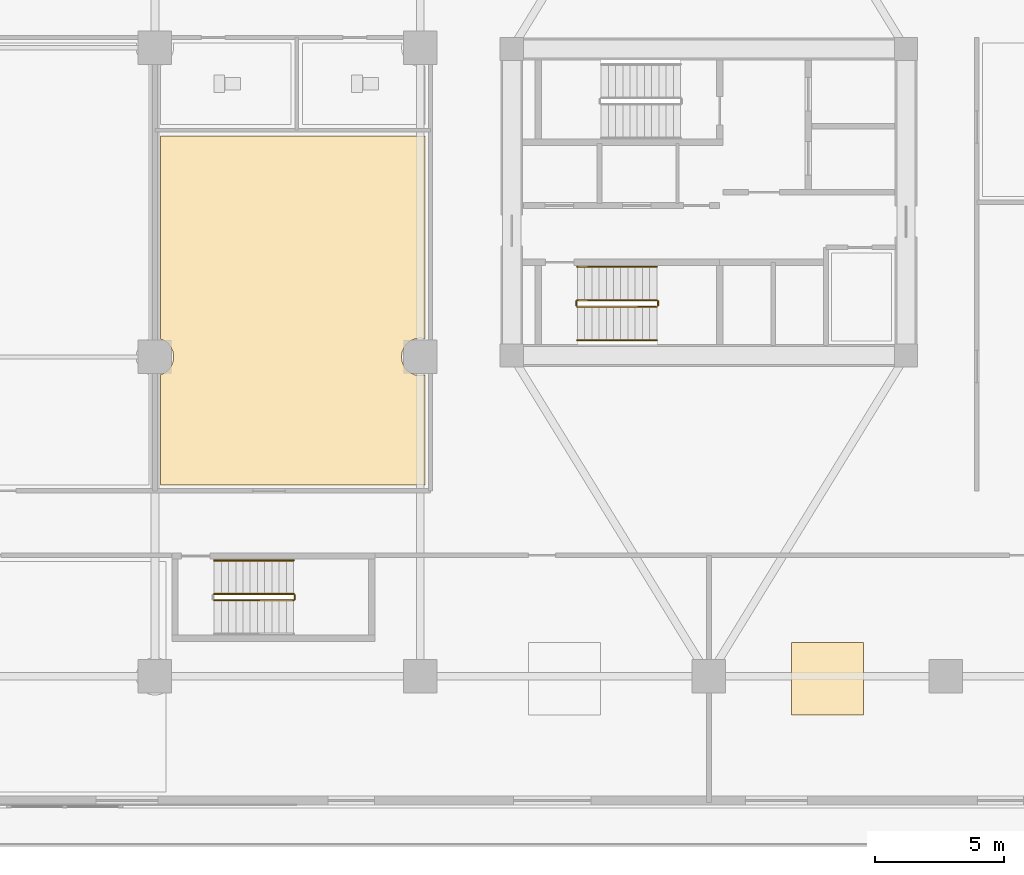
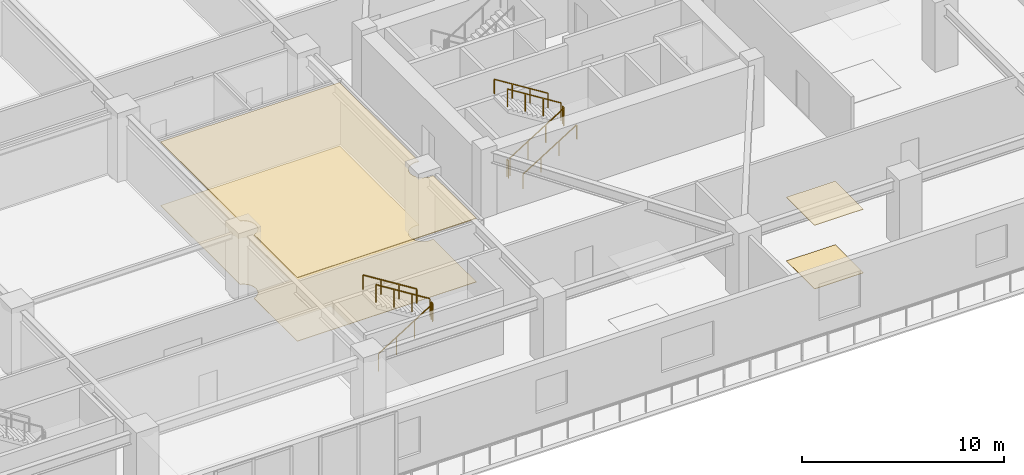
# One storey, part 18 of 22: 10 railings, 4 coverings.
"""IFC4 building model written with IfcOpenShell, lengths in metres."""

from ifc_helpers import new_model, si_unit, direction, frame, origin, origin_2d, place, context, subcontext, project, spatial, polyline, rectangle, outline, extrude, material, layer, layer_set, type_object, element, save


model = new_model("IFC4")

# Units and contexts
model_context = context("Model", 3, precision=1e-05, world=origin(), true_north=direction((0.0, 1.0)))
body_context = subcontext(model_context, "Body", "Model", "MODEL_VIEW")
ifc_project = project(units=[si_unit("LENGTHUNIT", "METRE"), si_unit("AREAUNIT", "SQUARE_METRE"), si_unit("VOLUMEUNIT", "CUBIC_METRE"), si_unit("PLANEANGLEUNIT", "RADIAN"), si_unit("MASSUNIT", "GRAM", prefix="KILO")], contexts=[model_context])

# Site, building, storey
site_placement = place(None, origin())
site = spatial("IfcSite", under=ifc_project, at=site_placement, CompositionType="ELEMENT")
building_placement = place(site_placement, origin())
building = spatial("IfcBuilding", under=site, at=building_placement, Name="Norrkilde Senior Care Towers", CompositionType="ELEMENT")
storey_placement = place(building_placement, frame((0.0, 0.0, 4.199951171875)))
storey = spatial("IfcBuildingStorey", under=building, at=storey_placement, Name="L01", CompositionType="ELEMENT", Elevation=4.199951171875)

# Coverings
ifc_material_1 = material(Name="Nordic Ash Timber", Category="wood")
ifc_layer_1 = layer(ifc_material_1, 0.044921875)
ifc_layer_set_1 = layer_set([ifc_layer_1], Name="Nordic Ash Timber")
covering_type_1 = type_object("IfcCoveringType", Name="Acoustic Ash Timber Slatted Ceiling 45", PredefinedType="CEILING", material=ifc_layer_set_1)
covering_1_placement = place(storey_placement, frame((0.0, 0.0, 3.8349609375)))
element("IfcCovering", 1, at=covering_1_placement, inside=storey, type_object=covering_type_1, Name="L01 Suspended Ceiling 0031", PredefinedType="CEILING", context=body_context, shape_type="SweptSolid", body=[
    extrude(outline(polyline([(6.719970703125, -10.97998046875), (6.719970703125, -6.692138671875), (6.864990234375, -6.632080078125), (7.01611328125, -6.51611328125), (7.132080078125, -6.364990234375), (7.205078125, -6.18896484375), (7.22998046875, -6.0), (7.205078125, -5.81103515625), (7.132080078125, -5.635009765625), (7.01611328125, -5.48388671875), (6.864990234375, -5.367919921875), (6.719970703125, -5.307861328125), (6.719970703125, 2.580078125), (16.97998046875, 2.580078125), (16.97998046875, -5.293701171875), (16.800048828125, -5.27001953125), (16.611083984375, -5.294921875), (16.43505859375, -5.367919921875), (16.28369140625, -5.48388671875), (16.167724609375, -5.635009765625), (16.094970703125, -5.81103515625), (16.070068359375, -6.0), (16.094970703125, -6.18896484375), (16.167724609375, -6.364990234375), (16.28369140625, -6.51611328125), (16.43505859375, -6.632080078125), (16.611083984375, -6.705078125), (16.800048828125, -6.72998046875), (16.97998046875, -6.706298828125), (16.97998046875, -10.97998046875), (6.719970703125, -10.97998046875)])), origin(), (0.0, 0.0, 1.0), 0.045166015625),
])
ifc_material_2 = material(Name="Gypsum Acoustic Board")
ifc_layer_2 = layer(ifc_material_2, 0.030029296875)
ifc_layer_set_2 = layer_set([ifc_layer_2], Name="Gypsum Acoustic Board")
covering_type_2 = type_object("IfcCoveringType", Name="Medical Cleanable Gypsum Ceiling 30", PredefinedType="CEILING", material=ifc_layer_set_2)
covering_2_placement = place(storey_placement, frame((0.0, 0.0, 3.85009765625)))
element("IfcCovering", 2, at=covering_2_placement, inside=storey, type_object=covering_type_2, Name="L01 Suspended Ceiling 0045", PredefinedType="CEILING", context=body_context, shape_type="SweptSolid", body=[
    extrude(outline(polyline([(31.199951171875, -19.89453125), (31.199951171875, -17.094482421875), (34.0, -17.094482421875), (34.0, -19.89453125), (31.199951171875, -19.89453125)])), origin(), (0.0, 0.0, 1.0), 0.030029296875),
])
ifc_material_3 = material(Name="Slip-Resistant Porcelain Stone", Category="masonry")
ifc_layer_3 = layer(ifc_material_3, 0.02490234375)
ifc_layer_set_3 = layer_set([ifc_layer_3], Name="Slip-Resistant Porcelain Stone")
covering_type_3 = type_object("IfcCoveringType", Name="Slip-Resistant Porcelain Flooring 25", PredefinedType="FLOORING", material=ifc_layer_set_3)
covering_3_placement = place(storey_placement, origin())
element("IfcCovering", 3, at=covering_3_placement, inside=storey, type_object=covering_type_3, Name="L01 Floor Finish 0031", PredefinedType="FLOORING", context=body_context, shape_type="SweptSolid", body=[
    extrude(outline(polyline([(6.719970703125, -10.97998046875), (6.719970703125, -6.692138671875), (6.864990234375, -6.632080078125), (7.01611328125, -6.51611328125), (7.132080078125, -6.364990234375), (7.205078125, -6.18896484375), (7.22998046875, -6.0), (7.205078125, -5.81103515625), (7.132080078125, -5.635009765625), (7.01611328125, -5.48388671875), (6.864990234375, -5.367919921875), (6.719970703125, -5.307861328125), (6.719970703125, 2.580078125), (16.97998046875, 2.580078125), (16.97998046875, -5.293701171875), (16.800048828125, -5.27001953125), (16.611083984375, -5.294921875), (16.43505859375, -5.367919921875), (16.28369140625, -5.48388671875), (16.167724609375, -5.635009765625), (16.094970703125, -5.81103515625), (16.070068359375, -6.0), (16.094970703125, -6.18896484375), (16.167724609375, -6.364990234375), (16.28369140625, -6.51611328125), (16.43505859375, -6.632080078125), (16.611083984375, -6.705078125), (16.800048828125, -6.72998046875), (16.97998046875, -6.706298828125), (16.97998046875, -10.97998046875), (6.719970703125, -10.97998046875)])), origin(), (0.0, 0.0, 1.0), 0.025146484375),
])
covering_4_placement = place(storey_placement, origin())
element("IfcCovering", 4, at=covering_4_placement, inside=storey, type_object=covering_type_3, Name="L01 Floor Finish 0045", PredefinedType="FLOORING", context=body_context, shape_type="SweptSolid", body=[
    extrude(outline(polyline([(31.199951171875, -19.89453125), (31.199951171875, -17.094482421875), (34.0, -17.094482421875), (34.0, -19.89453125), (31.199951171875, -19.89453125)])), origin(), (0.0, 0.0, 1.0), 0.025146484375),
])

# Railings
ifc_material_4 = material(Name="Stainless Steel", Category="steel")
railing_type_1 = type_object("IfcRailingType", Name="Stair and Terrace Guardrail 1100", PredefinedType="GUARDRAIL", material=ifc_material_4)
railing_1_placement = place(storey_placement, frame((22.89990234375, -4.050048828125, 0.175048828125)))
element("IfcRailing", 5, at=railing_1_placement, inside=storey, type_object=railing_type_1, Name="L01 ST-E2 stair guard 1", PredefinedType="GUARDRAIL", context=body_context, shape_type="SweptSolid", body=[
    extrude(rectangle(XDim=0.048095703125, YDim=0.048095703125, at=origin_2d()), frame((0.0, 0.0, 1.076171875), z_axis=(0.847998304005, 0.0, 0.529998940003), x_axis=(0.0, 1.0, 0.0)), (0.0, 0.0, 1.0), 3.632080078125),
    extrude(rectangle(XDim=0.0419921875, YDim=0.0419921875, at=origin_2d()), origin(), (0.0, 0.0, 1.0), 1.050048828125),
    extrude(rectangle(XDim=0.0419921875, YDim=0.0419921875, at=origin_2d()), frame((1.026611328125, 0.0, 0.6416015625)), (0.0, 0.0, 1.0), 1.050048828125),
    extrude(rectangle(XDim=0.0419921875, YDim=0.0419921875, at=origin_2d()), frame((2.053466796875, 0.0, 1.283447265625)), (0.0, 0.0, 1.0), 1.050048828125),
    extrude(rectangle(XDim=0.0419921875, YDim=0.0419921875, at=origin_2d()), frame((3.080078125, 0.0, 1.925048828125)), (0.0, 0.0, 1.0), 1.050048828125),
])
railing_2_placement = place(storey_placement, frame((26.030029296875, -4.0, 2.10009765625)))
element("IfcRailing", 6, at=railing_2_placement, inside=storey, type_object=railing_type_1, Name="L01 ST-E2 stair guard 2", PredefinedType="GUARDRAIL", context=body_context, shape_type="SweptSolid", body=[
    extrude(rectangle(XDim=0.048095703125, YDim=0.048095703125, at=origin_2d()), frame((0.0, 0.0, 1.076171875), z_axis=(0.0, 1.0, 0.0), x_axis=(-1.0, 0.0, 0.0)), (0.0, 0.0, 1.0), 0.14990234375),
    extrude(rectangle(XDim=0.0419921875, YDim=0.0419921875, at=origin_2d()), origin(), (0.0, 0.0, 1.0), 1.050048828125),
    extrude(rectangle(XDim=0.0419921875, YDim=0.0419921875, at=origin_2d()), frame((0.0, 0.14990234375, 0.0)), (0.0, 0.0, 1.0), 1.050048828125),
])
railing_3_placement = place(storey_placement, frame((25.97998046875, -3.800048828125, 2.275146484375)))
element("IfcRailing", 7, at=railing_3_placement, inside=storey, type_object=railing_type_1, Name="L01 ST-E2 stair guard 3", PredefinedType="GUARDRAIL", context=body_context, shape_type="SweptSolid", body=[
    extrude(rectangle(XDim=0.048095703125, YDim=0.048095703125, at=origin_2d()), frame((0.0, 0.0, 1.076171875), z_axis=(-0.848028513186, 0.0, 0.529950602248), x_axis=(0.0, -1.0, 0.0)), (0.0, 0.0, 1.0), 3.632080078125),
    extrude(rectangle(XDim=0.0419921875, YDim=0.0419921875, at=origin_2d()), origin(), (0.0, 0.0, 1.0), 1.050048828125),
    extrude(rectangle(XDim=0.0419921875, YDim=0.0419921875, at=origin_2d()), frame((-1.026611328125, 0.0, 0.6416015625)), (0.0, 0.0, 1.0), 1.050048828125),
    extrude(rectangle(XDim=0.0419921875, YDim=0.0419921875, at=origin_2d()), frame((-2.053466796875, 0.0, 1.283203125)), (0.0, 0.0, 1.0), 1.050048828125),
    extrude(rectangle(XDim=0.0419921875, YDim=0.0419921875, at=origin_2d()), frame((-3.080078125, 0.0, 1.9248046875)), (0.0, 0.0, 1.0), 1.050048828125),
])
railing_4_placement = place(storey_placement, frame((22.85009765625, -4.0, 0.0)))
element("IfcRailing", 8, at=railing_4_placement, inside=storey, type_object=railing_type_1, Name="L01 ST-E2 stair guard 4", PredefinedType="GUARDRAIL", context=body_context, shape_type="SweptSolid", body=[
    extrude(rectangle(XDim=0.048095703125, YDim=0.048095703125, at=origin_2d()), frame((0.0, 0.0, 1.076171875), z_axis=(0.0, 1.0, 0.0), x_axis=(-1.0, 0.0, 0.0)), (0.0, 0.0, 1.0), 0.14990234375),
    extrude(rectangle(XDim=0.0419921875, YDim=0.0419921875, at=origin_2d()), origin(), (0.0, 0.0, 1.0), 1.050048828125),
    extrude(rectangle(XDim=0.0419921875, YDim=0.0419921875, at=origin_2d()), frame((0.0, 0.14990234375, 0.0)), (0.0, 0.0, 1.0), 1.050048828125),
])
railing_5_placement = place(storey_placement, frame((8.800048828125, -15.449951171875, 0.175048828125)))
element("IfcRailing", 9, at=railing_5_placement, inside=storey, type_object=railing_type_1, Name="L01 ST-P2 stair guard 1", PredefinedType="GUARDRAIL", context=body_context, shape_type="SweptSolid", body=[
    extrude(rectangle(XDim=0.048095703125, YDim=0.048095703125, at=origin_2d()), frame((0.0, 0.0, 1.076171875), z_axis=(0.847979421464, 0.0, 0.530029150871), x_axis=(0.0, 1.0, 0.0)), (0.0, 0.0, 1.0), 3.632080078125),
    extrude(rectangle(XDim=0.0419921875, YDim=0.0419921875, at=origin_2d()), origin(), (0.0, 0.0, 1.0), 1.050048828125),
    extrude(rectangle(XDim=0.0419921875, YDim=0.0419921875, at=origin_2d()), frame((1.026611328125, 0.0, 0.6416015625)), (0.0, 0.0, 1.0), 1.050048828125),
    extrude(rectangle(XDim=0.0419921875, YDim=0.0419921875, at=origin_2d()), frame((2.05322265625, 0.0, 1.283447265625)), (0.0, 0.0, 1.0), 1.050048828125),
    extrude(rectangle(XDim=0.0419921875, YDim=0.0419921875, at=origin_2d()), frame((3.079833984375, 0.0, 1.925048828125)), (0.0, 0.0, 1.0), 1.050048828125),
])
railing_6_placement = place(storey_placement, frame((11.929931640625, -15.39990234375, 2.10009765625)))
element("IfcRailing", 10, at=railing_6_placement, inside=storey, type_object=railing_type_1, Name="L01 ST-P2 stair guard 2", PredefinedType="GUARDRAIL", context=body_context, shape_type="SweptSolid", body=[
    extrude(rectangle(XDim=0.048095703125, YDim=0.048095703125, at=origin_2d()), frame((0.0, 0.0, 1.076171875), z_axis=(0.0, 1.0, 0.0), x_axis=(-1.0, 0.0, 0.0)), (0.0, 0.0, 1.0), 0.14990234375),
    extrude(rectangle(XDim=0.0419921875, YDim=0.0419921875, at=origin_2d()), origin(), (0.0, 0.0, 1.0), 1.050048828125),
    extrude(rectangle(XDim=0.0419921875, YDim=0.0419921875, at=origin_2d()), frame((0.0, 0.14990234375, 0.0)), (0.0, 0.0, 1.0), 1.050048828125),
])
railing_7_placement = place(storey_placement, frame((11.8798828125, -15.199951171875, 2.275146484375)))
element("IfcRailing", 11, at=railing_7_placement, inside=storey, type_object=railing_type_1, Name="L01 ST-P2 stair guard 3", PredefinedType="GUARDRAIL", context=body_context, shape_type="SweptSolid", body=[
    extrude(rectangle(XDim=0.048095703125, YDim=0.048095703125, at=origin_2d()), frame((0.0, 0.0, 1.076171875), z_axis=(-0.848009633417, 0.0, 0.529980812513), x_axis=(0.0, -1.0, 0.0)), (0.0, 0.0, 1.0), 3.6318359375),
    extrude(rectangle(XDim=0.0419921875, YDim=0.0419921875, at=origin_2d()), origin(), (0.0, 0.0, 1.0), 1.050048828125),
    extrude(rectangle(XDim=0.0419921875, YDim=0.0419921875, at=origin_2d()), frame((-1.026611328125, 0.0, 0.6416015625)), (0.0, 0.0, 1.0), 1.050048828125),
    extrude(rectangle(XDim=0.0419921875, YDim=0.0419921875, at=origin_2d()), frame((-2.05322265625, 0.0, 1.283203125)), (0.0, 0.0, 1.0), 1.050048828125),
    extrude(rectangle(XDim=0.0419921875, YDim=0.0419921875, at=origin_2d()), frame((-3.079833984375, 0.0, 1.9248046875)), (0.0, 0.0, 1.0), 1.050048828125),
])
railing_type_2 = type_object("IfcRailingType", Name="Wall and Stair Handrail 900", PredefinedType="HANDRAIL", material=ifc_material_1)
railing_8_placement = place(storey_placement, frame((22.89990234375, -5.35009765625, 0.175048828125)))
element("IfcRailing", 12, at=railing_8_placement, inside=storey, type_object=railing_type_2, Name="L01 ST-E2 stair handrail 1", PredefinedType="HANDRAIL", context=body_context, shape_type="SweptSolid", body=[
    extrude(rectangle(XDim=0.048095703125, YDim=0.048095703125, at=origin_2d()), frame((0.0, 0.0, 0.8759765625), z_axis=(0.847998304005, 0.0, 0.529998940003), x_axis=(0.0, 1.0, 0.0)), (0.0, 0.0, 1.0), 3.632080078125),
    extrude(rectangle(XDim=0.0419921875, YDim=0.0419921875, at=origin_2d()), origin(), (0.0, 0.0, 1.0), 0.849853515625),
    extrude(rectangle(XDim=0.0419921875, YDim=0.0419921875, at=origin_2d()), frame((1.026611328125, 0.0, 0.6416015625)), (0.0, 0.0, 1.0), 0.849853515625),
    extrude(rectangle(XDim=0.0419921875, YDim=0.0419921875, at=origin_2d()), frame((2.053466796875, 0.0, 1.283447265625)), (0.0, 0.0, 1.0), 0.849853515625),
    extrude(rectangle(XDim=0.0419921875, YDim=0.0419921875, at=origin_2d()), frame((3.080078125, 0.0, 1.925048828125)), (0.0, 0.0, 1.0), 0.849853515625),
])
railing_9_placement = place(storey_placement, frame((25.97998046875, -2.5, 2.275146484375)))
element("IfcRailing", 13, at=railing_9_placement, inside=storey, type_object=railing_type_2, Name="L01 ST-E2 stair handrail 2", PredefinedType="HANDRAIL", context=body_context, shape_type="SweptSolid", body=[
    extrude(rectangle(XDim=0.048095703125, YDim=0.048095703125, at=origin_2d()), frame((0.0, 0.0, 0.8759765625), z_axis=(-0.848028513186, 0.0, 0.529950602248), x_axis=(0.0, -1.0, 0.0)), (0.0, 0.0, 1.0), 3.632080078125),
    extrude(rectangle(XDim=0.0419921875, YDim=0.0419921875, at=origin_2d()), origin(), (0.0, 0.0, 1.0), 0.849853515625),
    extrude(rectangle(XDim=0.0419921875, YDim=0.0419921875, at=origin_2d()), frame((-1.026611328125, 0.0, 0.6416015625)), (0.0, 0.0, 1.0), 0.849853515625),
    extrude(rectangle(XDim=0.0419921875, YDim=0.0419921875, at=origin_2d()), frame((-2.053466796875, 0.0, 1.283203125)), (0.0, 0.0, 1.0), 0.849853515625),
    extrude(rectangle(XDim=0.0419921875, YDim=0.0419921875, at=origin_2d()), frame((-3.080078125, 0.0, 1.9248046875)), (0.0, 0.0, 1.0), 0.849853515625),
])
railing_10_placement = place(storey_placement, frame((11.8798828125, -13.89990234375, 2.275146484375)))
element("IfcRailing", 14, at=railing_10_placement, inside=storey, type_object=railing_type_2, Name="L01 ST-P2 stair handrail 2", PredefinedType="HANDRAIL", context=body_context, shape_type="SweptSolid", body=[
    extrude(rectangle(XDim=0.048095703125, YDim=0.048095703125, at=origin_2d()), frame((0.0, 0.0, 0.8759765625), z_axis=(-0.848009633417, 0.0, 0.529980812513), x_axis=(0.0, -1.0, 0.0)), (0.0, 0.0, 1.0), 3.6318359375),
    extrude(rectangle(XDim=0.0419921875, YDim=0.0419921875, at=origin_2d()), origin(), (0.0, 0.0, 1.0), 0.849853515625),
    extrude(rectangle(XDim=0.0419921875, YDim=0.0419921875, at=origin_2d()), frame((-1.026611328125, 0.0, 0.6416015625)), (0.0, 0.0, 1.0), 0.849853515625),
    extrude(rectangle(XDim=0.0419921875, YDim=0.0419921875, at=origin_2d()), frame((-2.05322265625, 0.0, 1.283203125)), (0.0, 0.0, 1.0), 0.849853515625),
    extrude(rectangle(XDim=0.0419921875, YDim=0.0419921875, at=origin_2d()), frame((-3.079833984375, 0.0, 1.9248046875)), (0.0, 0.0, 1.0), 0.849853515625),
])

save(model, "model.ifc")
